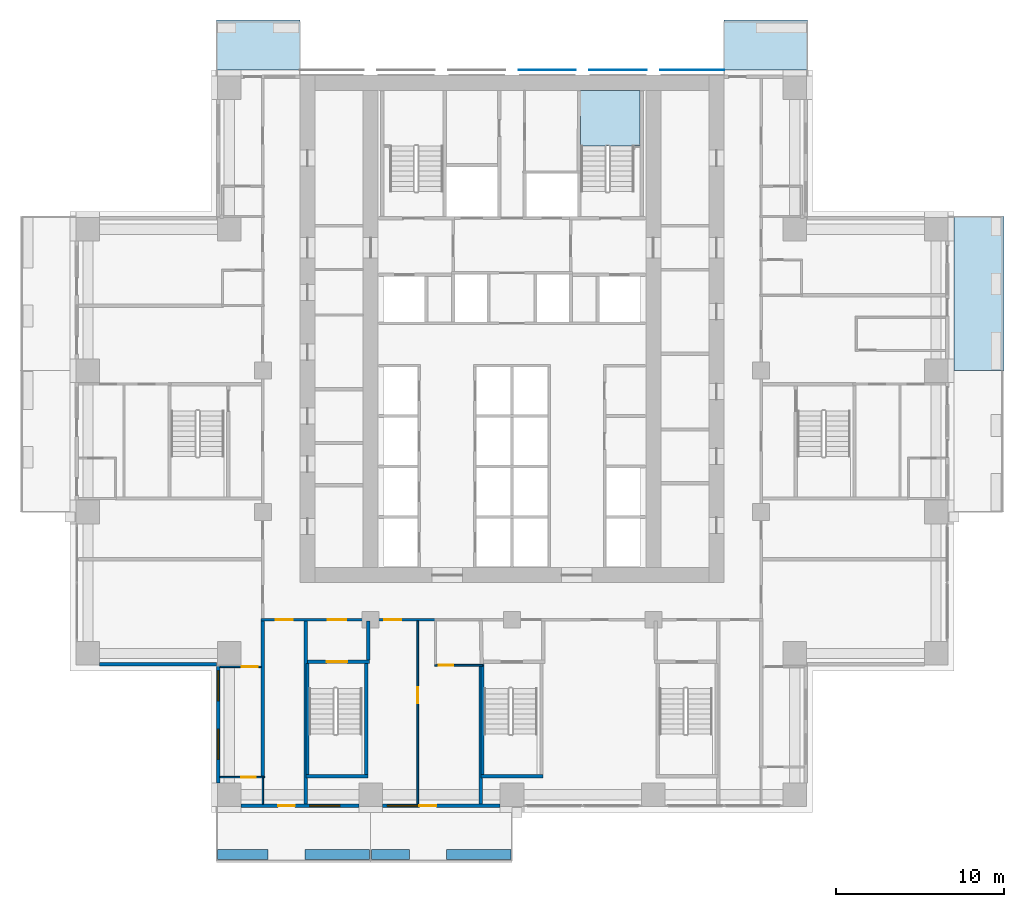
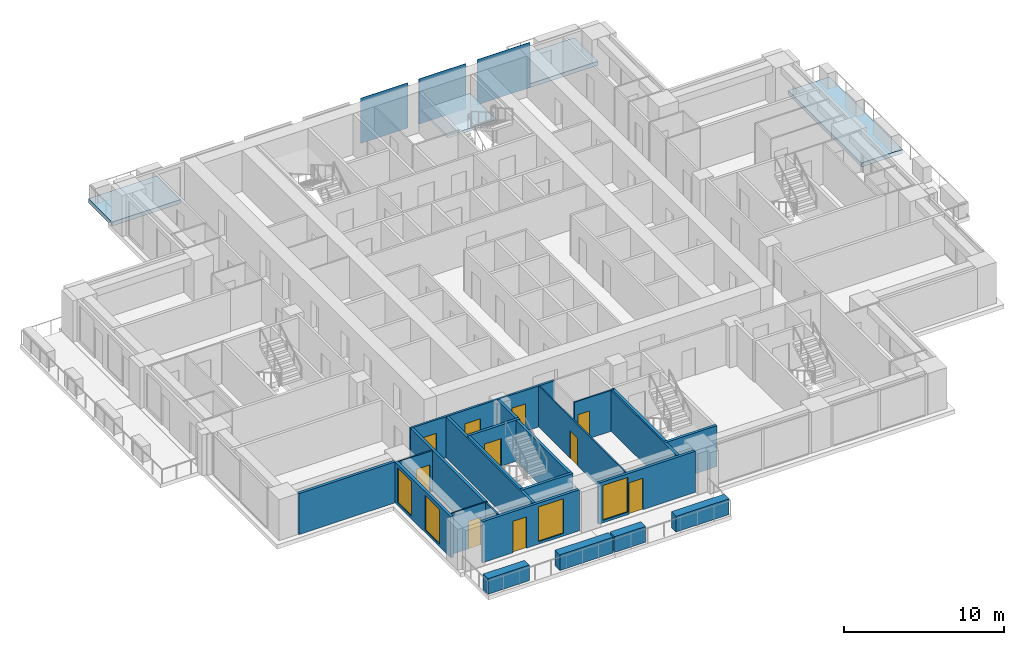
# One storey, part 6 of 17: 24 walls, 10 doors, 4 slabs, 4 windows, 3 plates, 14 openings, 1 element without a shape of its own.
"""IFC4 building model written with IfcOpenShell, lengths in metres."""

from ifc_helpers import new_model, si_unit, direction, frame, frame_2d, origin, origin_2d, place, context, subcontext, project, spatial, polyline, rectangle, outline, extrude, material, layer, layer_set, type_object, element, fill, aggregate, save


model = new_model("IFC4")

# Units and contexts
model_context = context("Model", 3, precision=1e-05, world=origin(), true_north=direction((0.0, 1.0)))
body_context = subcontext(model_context, "Body", "Model", "MODEL_VIEW")
ifc_project = project(units=[si_unit("LENGTHUNIT", "METRE"), si_unit("AREAUNIT", "SQUARE_METRE"), si_unit("VOLUMEUNIT", "CUBIC_METRE"), si_unit("PLANEANGLEUNIT", "RADIAN"), si_unit("MASSUNIT", "GRAM", prefix="KILO")], contexts=[model_context])

# Site, building, storey
site_placement = place(None, origin())
site = spatial("IfcSite", under=ifc_project, at=site_placement, CompositionType="ELEMENT")
building_placement = place(site_placement, origin())
building = spatial("IfcBuilding", under=site, at=building_placement, Name="Vermilion Ogive Tower", CompositionType="ELEMENT")
storey_placement = place(building_placement, frame((0.0, 0.0, 58.64990234375)))
storey = spatial("IfcBuildingStorey", under=building, at=storey_placement, Name="L13", CompositionType="ELEMENT", Elevation=58.64990234375)

# Slabs
ifc_material_1 = material(Name="Concrete B40", Category="concrete")
ifc_layer_1 = layer(ifc_material_1, 0.300048828125)
ifc_layer_set_1 = layer_set([ifc_layer_1], Name="Balcony slab")
slab_type_1 = type_object("IfcSlabType", Name="Balcony slab", PredefinedType="FLOOR", material=ifc_layer_set_1)
slab_1_placement = place(storey_placement, frame((0.0, 0.0, -0.33984375)))
element("IfcSlab", 1, at=slab_1_placement, inside=storey, type_object=slab_type_1, Name="Balcony slab E03", PredefinedType="FLOOR", context=body_context, shape_type="SweptSolid", body=[
    extrude(outline(polyline([(29.22998046875, 4.199951171875), (29.22998046875, 13.35009765625), (26.25, 13.35009765625), (26.25, 4.199951171875), (29.22998046875, 4.199951171875)])), origin(), (0.0, 0.0, 1.0), 0.300048828125),
])
slab_2_placement = place(storey_placement, frame((0.0, 0.0, -0.33984375)))
element("IfcSlab", 2, at=slab_2_placement, inside=storey, type_object=slab_type_1, Name="Balcony slab N101", PredefinedType="FLOOR", context=body_context, shape_type="SweptSolid", body=[
    extrude(outline(polyline([(17.550048828125, 25.030029296875), (12.60009765625, 25.030029296875), (12.60009765625, 22.050048828125), (17.550048828125, 22.050048828125), (17.550048828125, 25.030029296875)])), origin(), (0.0, 0.0, 1.0), 0.300048828125),
])
slab_3_placement = place(storey_placement, frame((0.0, 0.0, -0.33984375)))
element("IfcSlab", 3, at=slab_3_placement, inside=storey, type_object=slab_type_1, Name="Balcony slab N201", PredefinedType="FLOOR", context=body_context, shape_type="SweptSolid", body=[
    extrude(outline(polyline([(-12.60009765625, 25.030029296875), (-17.550048828125, 25.030029296875), (-17.550048828125, 22.050048828125), (-12.60009765625, 22.050048828125), (-12.60009765625, 25.030029296875)])), origin(), (0.0, 0.0, 1.0), 0.300048828125),
])

# Plates
ifc_material_2 = material(Name="Low-iron laminated glazing in aluminium frame", Category="aluminium")
ifc_layer_2 = layer(ifc_material_2, 0.031982421875)
ifc_layer_set_2 = layer_set([ifc_layer_2], Name="Glazed rainscreen sheet 32")
plate_type = type_object("IfcPlateType", Name="Glazed rainscreen sheet 32", PredefinedType="SHEET", material=ifc_layer_set_2)
for number, where, z_axis, x_axis, name in (
    (4, (2.10009765625, 22.06591796875, -0.31982421875), (0.0, 0.0, 1.0), (1.0, 0.0, 0.0), "Glazed rainscreen sheet N4"),
    (5, (6.300048828125, 22.06591796875, -0.31982421875), (0.0, 0.0, 1.0), (1.0, 0.0, 0.0), "Glazed rainscreen sheet N5"),
):
    element("IfcPlate", number, at=place(storey_placement, frame(where, z_axis=z_axis, x_axis=x_axis)), inside=storey, type_object=plate_type, Name=name, PredefinedType="SHEET", context=body_context, shape_type="SweptSolid", body=[
        extrude(rectangle(XDim=3.39990234375, YDim=0.031982421875, at=origin_2d()), origin(), (0.0, 0.0, 1.0), 3.449951171875),
    ])
plate_placement = place(storey_placement, frame((10.7099609375, 22.06591796875, -0.31982421875), z_axis=(0.0, 0.0, 1.0), x_axis=(1.0, 0.0, 0.0)))
element("IfcPlate", 6, at=plate_placement, inside=storey, type_object=plate_type, Name="Glazed rainscreen sheet N6", PredefinedType="SHEET", context=body_context, shape_type="SweptSolid", body=[
    extrude(rectangle(XDim=3.820068359375, YDim=0.031982421875, at=origin_2d()), origin(), (0.0, 0.0, 1.0), 3.449951171875),
])

# Stair, slab
ifc_material_3 = material(Name="Concrete B40", Category="concrete")
stair_type = type_object("IfcStairType", Name="Exit stair 1500", PredefinedType="HALF_TURN_STAIR", material=ifc_material_3)
stair_placement = place(storey_placement, origin())
stair = element("IfcStair", 7, at=stair_placement, inside=storey, type_object=stair_type, Name="L13 Exit Stair ST2", PredefinedType="HALF_TURN_STAIR")
ifc_material_4 = material(Name="Concrete B40", Category="concrete")
ifc_layer_3 = layer(ifc_material_4, 0.199951171875)
ifc_layer_set_3 = layer_set([ifc_layer_3], Name="Stair landing 200")
slab_type_2 = type_object("IfcSlabType", Name="Stair landing 200", PredefinedType="LANDING", material=ifc_layer_set_3)
slab_4_placement = place(storey_placement, frame((0.0, 0.0, 1.525146484375)))
slab_4 = element("IfcSlab", 8, at=slab_4_placement, type_object=slab_type_2, Name="ST2 landing 1", PredefinedType="LANDING", context=body_context, shape_type="SweptSolid", body=[
    extrude(outline(polyline([(5.60009765625, 17.550048828125), (5.75, 17.550048828125), (5.75, 17.548095703125), (7.25, 17.548095703125), (7.25, 17.550048828125), (7.60009765625, 17.550048828125), (7.60009765625, 20.85009765625), (4.074951171875, 20.85009765625), (4.074951171875, 17.550048828125), (4.10009765625, 17.550048828125), (4.10009765625, 17.548095703125), (5.60009765625, 17.548095703125), (5.60009765625, 17.550048828125)])), origin(), (0.0, 0.0, 1.0), 0.199951171875),
])
aggregate(stair, [slab_4])

# Wall, opening, door
ifc_material_5 = material(Name="Gypsum board partition on steel studs", Category="steel")
ifc_layer_4 = layer(ifc_material_5, 0.10009765625)
ifc_layer_set_4 = layer_set([ifc_layer_4], Name="Partition 100 bath")
wall_type_1 = type_object("IfcWallType", Name="Partition 100 bath", PredefinedType="PARTITIONING", material=ifc_layer_set_4)
wall_1_placement = place(storey_placement, frame((-17.35009765625, -19.949951171875, 0.0), z_axis=(0.0, 0.0, 1.0), x_axis=(1.0, 0.0, 0.0)))
wall_1 = element("IfcWall", 9, at=wall_1_placement, inside=storey, type_object=wall_type_1, Name="L13-W-W001", PredefinedType="PARTITIONING", context=body_context, shape_type="SweptSolid", body=[
    extrude(rectangle(XDim=2.650146484375, YDim=0.10009765625, at=frame_2d((1.3251953125, 0.0))), origin(), (0.0, 0.0, 1.0), 3.130126953125),
])
opening_1_placement = place(wall_1_placement, frame((1.27490234375, 0.0, 0.0)))
opening_1 = element("IfcOpeningElement", 10, at=opening_1_placement, cuts=wall_1, Name="Opening D1G4003", PredefinedType="OPENING", context=body_context, shape_type="SweptSolid", body=[
    extrude(rectangle(XDim=0.85009765625, YDim=2.10009765625, at=frame_2d((0.425048828125, 1.050048828125))), frame((0.0, 0.06005859375, 0.0), z_axis=(0.0, -1.0, 0.0), x_axis=(1.0, 0.0, 0.0)), (0.0, 0.0, 1.0), 0.1201171875),
])
ifc_material_6 = material(Name="Timber door leaf", Category="wood")
door_type_1 = type_object("IfcDoorType", Name="Bath door 850 x 2100 FD30", OperationType="SINGLE_SWING_LEFT", PredefinedType="DOOR", material=ifc_material_6)
door_1_placement = place(opening_1_placement, origin())
door_1 = element("IfcDoor", 11, at=door_1_placement, inside=storey, type_object=door_type_1, Name="L13-D-D003", OperationType="SINGLE_SWING_RIGHT", OverallHeight=2.10009765625, OverallWidth=0.85009765625, PredefinedType="DOOR", context=body_context, shape_type="SweptSolid", body=[
    extrude(rectangle(XDim=0.85009765625, YDim=2.10009765625, at=frame_2d((0.425048828125, 1.050048828125))), frame((0.0, 0.02490234375, 0.0), z_axis=(0.0, -1.0, 0.0), x_axis=(1.0, 0.0, 0.0)), (0.0, 0.0, 1.0), 0.050048828125),
])
fill(opening_1, door_1)

wall_2_placement = place(storey_placement, frame((-4.60009765625, -13.300048828125, 0.0), z_axis=(0.0, 0.0, 1.0), x_axis=(1.0, 0.0, 0.0)))
wall_2 = element("IfcWall", 12, at=wall_2_placement, inside=storey, type_object=wall_type_1, Name="L13-W-W008", PredefinedType="PARTITIONING", context=body_context, shape_type="SweptSolid", body=[
    extrude(rectangle(XDim=2.85009765625, YDim=0.10009765625, at=frame_2d((1.425048828125, 0.0))), origin(), (0.0, 0.0, 1.0), 3.130126953125),
])
opening_2_placement = place(wall_2_placement, frame((0.25, 0.0, 0.0)))
opening_2 = element("IfcOpeningElement", 13, at=opening_2_placement, cuts=wall_2, Name="Opening D1G4014", PredefinedType="OPENING", context=body_context, shape_type="SweptSolid", body=[
    extrude(rectangle(XDim=0.85009765625, YDim=2.10009765625, at=frame_2d((0.425048828125, 1.050048828125))), frame((0.0, 0.06005859375, 0.0), z_axis=(0.0, -1.0, 0.0), x_axis=(1.0, 0.0, 0.0)), (0.0, 0.0, 1.0), 0.1201171875),
])
door_2_placement = place(opening_2_placement, origin())
door_2 = element("IfcDoor", 14, at=door_2_placement, inside=storey, type_object=door_type_1, Name="L13-D-D014", OperationType="SINGLE_SWING_LEFT", OverallHeight=2.10009765625, OverallWidth=0.85009765625, PredefinedType="DOOR", context=body_context, shape_type="SweptSolid", body=[
    extrude(rectangle(XDim=0.85009765625, YDim=2.10009765625, at=frame_2d((0.425048828125, 1.050048828125))), frame((0.0, 0.02490234375, 0.0), z_axis=(0.0, -1.0, 0.0), x_axis=(1.0, 0.0, 0.0)), (0.0, 0.0, 1.0), 0.050048828125),
])
fill(opening_2, door_2)

# Wall
wall_3_placement = place(storey_placement, frame((-14.800048828125, -21.550048828125, 0.0), z_axis=(0.0, 0.0, 1.0), x_axis=(0.0, 1.0, 0.0)))
element("IfcWall", 15, at=wall_3_placement, inside=storey, type_object=wall_type_1, Name="L13-W-W047", PredefinedType="PARTITIONING", context=body_context, shape_type="SweptSolid", body=[
    extrude(rectangle(XDim=1.550048828125, YDim=0.10009765625, at=frame_2d((0.77490234375, 0.0))), origin(), (0.0, 0.0, 1.0), 3.130126953125),
])

# Wall, opening, door
ifc_material_7 = material(Name="Gypsum board partition on steel studs", Category="steel")
ifc_layer_5 = layer(ifc_material_7, 0.10009765625)
ifc_layer_set_5 = layer_set([ifc_layer_5], Name="Partition 100 inner")
wall_type_2 = type_object("IfcWallType", Name="Partition 100 inner", PredefinedType="PARTITIONING", material=ifc_layer_set_5)
wall_4_placement = place(storey_placement, frame((-17.35009765625, -13.39990234375, 0.0), z_axis=(0.0, 0.0, 1.0), x_axis=(1.0, 0.0, 0.0)))
wall_4 = element("IfcWall", 16, at=wall_4_placement, inside=storey, type_object=wall_type_2, Name="L13-W-W006", PredefinedType="PARTITIONING", context=body_context, shape_type="SweptSolid", body=[
    extrude(rectangle(XDim=2.4501953125, YDim=0.10009765625, at=frame_2d((1.22509765625, 0.0))), origin(), (0.0, 0.0, 1.0), 3.130126953125),
])
opening_3_placement = place(wall_4_placement, frame((1.300048828125, 0.0, 0.0)))
opening_3 = element("IfcOpeningElement", 17, at=opening_3_placement, cuts=wall_4, Name="Opening D1G4002", PredefinedType="OPENING", context=body_context, shape_type="SweptSolid", body=[
    extrude(rectangle(XDim=0.949951171875, YDim=2.10009765625, at=frame_2d((0.47509765625, 1.050048828125))), frame((0.0, 0.06005859375, 0.0), z_axis=(0.0, -1.0, 0.0), x_axis=(1.0, 0.0, 0.0)), (0.0, 0.0, 1.0), 0.1201171875),
])
ifc_material_8 = material(Name="Timber door leaf", Category="wood")
door_type_2 = type_object("IfcDoorType", Name="Inner door 950 x 2100 FD30", OperationType="SINGLE_SWING_LEFT", PredefinedType="DOOR", material=ifc_material_8)
door_3_placement = place(opening_3_placement, origin())
door_3 = element("IfcDoor", 18, at=door_3_placement, inside=storey, type_object=door_type_2, Name="L13-D-D002", OperationType="SINGLE_SWING_RIGHT", OverallHeight=2.10009765625, OverallWidth=0.949951171875, PredefinedType="DOOR", context=body_context, shape_type="SweptSolid", body=[
    extrude(rectangle(XDim=0.949951171875, YDim=2.10009765625, at=frame_2d((0.47509765625, 1.050048828125))), frame((0.0, 0.02490234375, 0.0), z_axis=(0.0, -1.0, 0.0), x_axis=(1.0, 0.0, 0.0)), (0.0, 0.0, 1.0), 0.050048828125),
])
fill(opening_3, door_3)

wall_5_placement = place(storey_placement, frame((-5.60009765625, -21.550048828125, 0.0), z_axis=(0.0, 0.0, 1.0), x_axis=(0.0, 1.0, 0.0)))
wall_5 = element("IfcWall", 19, at=wall_5_placement, inside=storey, type_object=wall_type_2, Name="L13-W-W058", PredefinedType="PARTITIONING", context=body_context, shape_type="SweptSolid", body=[
    extrude(rectangle(XDim=10.875, YDim=0.10009765625, at=frame_2d((5.4375, 0.0))), origin(), (0.0, 0.0, 1.0), 3.130126953125),
])
opening_4_placement = place(wall_5_placement, frame((5.97509765625, 0.0, 0.0)))
opening_4 = element("IfcOpeningElement", 20, at=opening_4_placement, cuts=wall_5, Name="Opening D1G4013", PredefinedType="OPENING", context=body_context, shape_type="SweptSolid", body=[
    extrude(rectangle(XDim=0.949951171875, YDim=2.10009765625, at=frame_2d((0.47509765625, 1.050048828125))), frame((0.0, 0.06005859375, 0.0), z_axis=(0.0, -1.0, 0.0), x_axis=(1.0, 0.0, 0.0)), (0.0, 0.0, 1.0), 0.1201171875),
])
door_4_placement = place(opening_4_placement, origin())
door_4 = element("IfcDoor", 21, at=door_4_placement, inside=storey, type_object=door_type_2, Name="L13-D-D013", OperationType="SINGLE_SWING_LEFT", OverallHeight=2.10009765625, OverallWidth=0.949951171875, PredefinedType="DOOR", context=body_context, shape_type="SweptSolid", body=[
    extrude(rectangle(XDim=0.949951171875, YDim=2.10009765625, at=frame_2d((0.47509765625, 1.050048828125))), frame((0.0, 0.02490234375, 0.0), z_axis=(0.0, -1.0, 0.0), x_axis=(1.0, 0.0, 0.0)), (0.0, 0.0, 1.0), 0.050048828125),
])
fill(opening_4, door_4)

# Wall, openings, doors
ifc_material_9 = material(Name="Gypsum board partition on steel studs", Category="steel")
ifc_layer_6 = layer(ifc_material_9, 0.14990234375)
ifc_layer_set_6 = layer_set([ifc_layer_6], Name="Partition 150 corridor")
wall_type_3 = type_object("IfcWallType", Name="Partition 150 corridor", PredefinedType="PARTITIONING", material=ifc_layer_set_6)
wall_6_placement = place(storey_placement, frame((-14.89990234375, -10.60009765625, 0.0), z_axis=(0.0, 0.0, 1.0), x_axis=(1.0, 0.0, 0.0)))
wall_6 = element("IfcWall", 22, at=wall_6_placement, inside=storey, type_object=wall_type_3, Name="L13-W-W012", PredefinedType="PARTITIONING", context=body_context, shape_type="SweptSolid", body=[
    extrude(rectangle(XDim=10.39990234375, YDim=0.14990234375, at=frame_2d((5.199951171875, 0.0))), origin(), (0.0, 0.0, 1.0), 3.130126953125),
])
opening_5_placement = place(wall_6_placement, frame((7.324951171875, 0.0, 0.0)))
opening_5 = element("IfcOpeningElement", 23, at=opening_5_placement, cuts=wall_6, Name="Opening D1G4012", PredefinedType="OPENING", context=body_context, shape_type="SweptSolid", body=[
    extrude(rectangle(XDim=1.0, YDim=2.10009765625, at=frame_2d((0.5, 1.050048828125))), frame((0.0, 0.0849609375, 0.0), z_axis=(0.0, -1.0, 0.0), x_axis=(1.0, 0.0, 0.0)), (0.0, 0.0, 1.0), 0.169921875),
])
opening_6_placement = place(wall_6_placement, frame((3.949951171875, 0.0, 0.0)))
opening_6 = element("IfcOpeningElement", 24, at=opening_6_placement, cuts=wall_6, Name="Opening D1G4028", PredefinedType="OPENING", context=body_context, shape_type="SweptSolid", body=[
    extrude(rectangle(XDim=1.10009765625, YDim=2.10009765625, at=frame_2d((0.550048828125, 1.050048828125))), frame((0.0, 0.0849609375, 0.0), z_axis=(0.0, -1.0, 0.0), x_axis=(1.0, 0.0, 0.0)), (0.0, 0.0, 1.0), 0.169921875),
])
opening_7_placement = place(wall_6_placement, frame((0.875, 0.0, 0.0)))
opening_7 = element("IfcOpeningElement", 25, at=opening_7_placement, cuts=wall_6, Name="Opening D1G4038", PredefinedType="OPENING", context=body_context, shape_type="SweptSolid", body=[
    extrude(rectangle(XDim=1.0, YDim=2.10009765625, at=frame_2d((0.5, 1.050048828125))), frame((0.0, 0.0849609375, 0.0), z_axis=(0.0, -1.0, 0.0), x_axis=(1.0, 0.0, 0.0)), (0.0, 0.0, 1.0), 0.169921875),
])
ifc_material_10 = material(Name="Timber door leaf", Category="wood")
door_type_3 = type_object("IfcDoorType", Name="Stair door 1100 x 2100 FD60S", OperationType="SINGLE_SWING_LEFT", PredefinedType="DOOR", material=ifc_material_10)
door_5_placement = place(opening_6_placement, origin())
door_5 = element("IfcDoor", 26, at=door_5_placement, inside=storey, type_object=door_type_3, Name="L13-D-D028", OperationType="SINGLE_SWING_RIGHT", OverallHeight=2.10009765625, OverallWidth=1.10009765625, PredefinedType="DOOR", context=body_context, shape_type="SweptSolid", body=[
    extrude(rectangle(XDim=1.10009765625, YDim=2.10009765625, at=frame_2d((0.550048828125, 1.050048828125))), frame((0.0, 0.02490234375, 0.0), z_axis=(0.0, -1.0, 0.0), x_axis=(1.0, 0.0, 0.0)), (0.0, 0.0, 1.0), 0.050048828125),
])
fill(opening_6, door_5)
ifc_material_11 = material(Name="Timber door leaf", Category="wood")
door_type_4 = type_object("IfcDoorType", Name="Unit door 1000 x 2100 FD30S", OperationType="SINGLE_SWING_LEFT", PredefinedType="DOOR", material=ifc_material_11)
door_6_placement = place(opening_5_placement, origin())
door_6 = element("IfcDoor", 27, at=door_6_placement, inside=storey, type_object=door_type_4, Name="L13-D-D012", OperationType="SINGLE_SWING_RIGHT", OverallHeight=2.10009765625, OverallWidth=1.0, PredefinedType="DOOR", context=body_context, shape_type="SweptSolid", body=[
    extrude(rectangle(XDim=1.0, YDim=2.10009765625, at=frame_2d((0.5, 1.050048828125))), frame((0.0, 0.02490234375, 0.0), z_axis=(0.0, -1.0, 0.0), x_axis=(1.0, 0.0, 0.0)), (0.0, 0.0, 1.0), 0.050048828125),
])
fill(opening_5, door_6)
door_7_placement = place(opening_7_placement, origin())
door_7 = element("IfcDoor", 28, at=door_7_placement, inside=storey, type_object=door_type_4, Name="L13-D-D038", OperationType="SINGLE_SWING_RIGHT", OverallHeight=2.10009765625, OverallWidth=1.0, PredefinedType="DOOR", context=body_context, shape_type="SweptSolid", body=[
    extrude(rectangle(XDim=1.0, YDim=2.10009765625, at=frame_2d((0.5, 1.050048828125))), frame((0.0, 0.02490234375, 0.0), z_axis=(0.0, -1.0, 0.0), x_axis=(1.0, 0.0, 0.0)), (0.0, 0.0, 1.0), 0.050048828125),
])
fill(opening_7, door_7)

# Walls
ifc_material_12 = material(Name="Gypsum board partition on steel studs", Category="steel")
ifc_layer_7 = layer(ifc_material_12, 0.199951171875)
ifc_layer_set_7 = layer_set([ifc_layer_7], Name="Partition 200 party")
wall_type_4 = type_object("IfcWallType", Name="Partition 200 party", PredefinedType="PARTITIONING", material=ifc_layer_set_7)
wall_7_placement = place(storey_placement, frame((-14.800048828125, -19.89990234375, 0.0), z_axis=(0.0, 0.0, 1.0), x_axis=(0.0, 1.0, 0.0)))
element("IfcWall", 29, at=wall_7_placement, inside=storey, type_object=wall_type_4, Name="L13-W-W048", PredefinedType="PARTITIONING", context=body_context, shape_type="SweptSolid", body=[
    extrude(rectangle(XDim=9.224853515625, YDim=0.199951171875, at=frame_2d((4.6123046875, 0.0))), origin(), (0.0, 0.0, 1.0), 3.130126953125),
])
wall_8_placement = place(storey_placement, frame((-8.550048828125, -12.998046875, 0.0), z_axis=(0.0, 0.0, 1.0), x_axis=(0.0, 1.0, 0.0)))
element("IfcWall", 30, at=wall_8_placement, inside=storey, type_object=wall_type_4, Name="L13-W-W057", PredefinedType="PARTITIONING", context=body_context, shape_type="SweptSolid", body=[
    extrude(rectangle(XDim=2.322998046875, YDim=0.199951171875, at=frame_2d((1.16162109375, 0.0))), origin(), (0.0, 0.0, 1.0), 3.130126953125),
])
ifc_material_13 = material(Name="Concrete B60", Category="concrete")
ifc_layer_8 = layer(ifc_material_13, 0.199951171875)
ifc_layer_set_8 = layer_set([ifc_layer_8], Name="Stair shaft wall 200 Concrete B60")
wall_type_5 = type_object("IfcWallType", Name="Stair shaft wall 200 Concrete B60", PredefinedType="SOLIDWALL", material=ifc_layer_set_8)
wall_9_placement = place(storey_placement, frame((-12.248046875, -19.89990234375, 0.0), z_axis=(0.0, 0.0, 1.0), x_axis=(1.0, 0.0, 0.0)))
element("IfcWall", 31, at=wall_9_placement, inside=storey, type_object=wall_type_5, Name="L13-W-W002", PredefinedType="SOLIDWALL", context=body_context, shape_type="SweptSolid", body=[
    extrude(rectangle(XDim=3.696044921875, YDim=0.199951171875, at=frame_2d((1.84814453125, 0.0))), origin(), (0.0, 0.0, 1.0), 3.130126953125),
])
wall_10_placement = place(storey_placement, frame((-1.847900390625, -19.89990234375, 0.0), z_axis=(0.0, 0.0, 1.0), x_axis=(1.0, 0.0, 0.0)))
element("IfcWall", 32, at=wall_10_placement, inside=storey, type_object=wall_type_5, Name="L13-W-W003", PredefinedType="SOLIDWALL", context=body_context, shape_type="SweptSolid", body=[
    extrude(rectangle(XDim=3.69580078125, YDim=0.199951171875, at=frame_2d((1.847900390625, 0.0))), origin(), (0.0, 0.0, 1.0), 3.130126953125),
])

# Wall, opening, door
wall_11_placement = place(storey_placement, frame((-12.14794921875, -13.10009765625, 0.0), z_axis=(0.0, 0.0, 1.0), x_axis=(1.0, 0.0, 0.0)))
wall_11 = element("IfcWall", 33, at=wall_11_placement, inside=storey, type_object=wall_type_5, Name="L13-W-W009", PredefinedType="SOLIDWALL", context=body_context, shape_type="SweptSolid", body=[
    extrude(rectangle(XDim=3.696044921875, YDim=0.199951171875, at=frame_2d((1.84814453125, 0.0))), origin(), (0.0, 0.0, 1.0), 3.130126953125),
])
opening_8_placement = place(wall_11_placement, frame((1.14794921875, 0.0, 0.0)))
opening_8 = element("IfcOpeningElement", 34, at=opening_8_placement, cuts=wall_11, Name="Opening D1G4029", PredefinedType="OPENING", context=body_context, shape_type="SweptSolid", body=[
    extrude(rectangle(XDim=1.199951171875, YDim=2.10009765625, at=frame_2d((0.60009765625, 1.050048828125))), frame((0.0, 0.10986328125, 0.0), z_axis=(0.0, -1.0, 0.0), x_axis=(1.0, 0.0, 0.0)), (0.0, 0.0, 1.0), 0.219970703125),
])
ifc_material_14 = material(Name="Timber door leaf", Category="wood")
door_type_5 = type_object("IfcDoorType", Name="Stair door 1200 x 2100 FD60S", OperationType="SINGLE_SWING_LEFT", PredefinedType="DOOR", material=ifc_material_14)
door_8_placement = place(opening_8_placement, origin())
door_8 = element("IfcDoor", 35, at=door_8_placement, inside=storey, type_object=door_type_5, Name="L13-D-D029", OperationType="SINGLE_SWING_RIGHT", OverallHeight=2.10009765625, OverallWidth=1.199951171875, PredefinedType="DOOR", context=body_context, shape_type="SweptSolid", body=[
    extrude(rectangle(XDim=1.199951171875, YDim=2.10009765625, at=frame_2d((0.60009765625, 1.050048828125))), frame((0.0, 0.02490234375, 0.0), z_axis=(0.0, -1.0, 0.0), x_axis=(1.0, 0.0, 0.0)), (0.0, 0.0, 1.0), 0.050048828125),
])
fill(opening_8, door_8)

# Walls
for number, where, z_axis, x_axis, name in (
    (36, (-12.14990234375, -19.798095703125, 0.0), (0.0, 0.0, 1.0), (0.0, 1.0, 0.0), "L13-W-W055"),
    (37, (-8.64990234375, -19.798095703125, 0.0), (0.0, 0.0, 1.0), (0.0, 1.0, 0.0), "L13-W-W056"),
    (38, (-1.75, -19.798095703125, 0.0), (0.0, 0.0, 1.0), (0.0, 1.0, 0.0), "L13-W-W062"),
):
    element("IfcWall", number, at=place(storey_placement, frame(where, z_axis=z_axis, x_axis=x_axis)), inside=storey, type_object=wall_type_5, Name=name, PredefinedType="SOLIDWALL", context=body_context, shape_type="SweptSolid", body=[
        extrude(rectangle(XDim=6.59619140625, YDim=0.199951171875, at=frame_2d((3.298095703125, 0.0))), origin(), (0.0, 0.0, 1.0), 3.130126953125),
    ])
wall_12_placement = place(storey_placement, frame((-12.25, -21.550048828125, 0.0), z_axis=(0.0, 0.0, 1.0), x_axis=(0.0, 1.0, 0.0)))
element("IfcWall", 39, at=wall_12_placement, inside=storey, type_object=wall_type_5, Name="L13-W-W054-A", PredefinedType="SOLIDWALL", context=body_context, shape_type="SweptSolid", body=[
    extrude(rectangle(XDim=10.875, YDim=0.199951171875, at=frame_2d((5.4375, 0.0))), origin(), (0.0, 0.0, 1.0), 3.130126953125),
])
wall_13_placement = place(storey_placement, frame((-1.85009765625, -21.550048828125, 0.0), z_axis=(0.0, 0.0, 1.0), x_axis=(0.0, 1.0, 0.0)))
element("IfcWall", 40, at=wall_13_placement, inside=storey, type_object=wall_type_5, Name="L13-W-W060-A", PredefinedType="SOLIDWALL", context=body_context, shape_type="SweptSolid", body=[
    extrude(rectangle(XDim=8.199951171875, YDim=0.199951171875, at=frame_2d((4.10009765625, 0.0))), origin(), (0.0, 0.0, 1.0), 3.130126953125),
])
ifc_material_15 = material(Name="Concrete B40", Category="concrete")
ifc_layer_9 = layer(ifc_material_15, 0.60009765625)
ifc_layer_set_9 = layer_set([ifc_layer_9], Name="Structural planter")
wall_type_6 = type_object("IfcWallType", Name="Structural planter", PredefinedType="USERDEFINED", material=ifc_layer_set_9)
wall_14_placement = place(storey_placement, frame((-17.489990234375, -24.550048828125, -0.039794921875), z_axis=(0.0, 0.0, 1.0), x_axis=(1.0, 0.0, 0.0)))
element("IfcWall", 41, at=wall_14_placement, inside=storey, type_object=wall_type_6, Name="Planter S01A1", ObjectType="PLANTER", PredefinedType="USERDEFINED", context=body_context, shape_type="SweptSolid", body=[
    extrude(rectangle(XDim=2.989990234375, YDim=0.60009765625, at=frame_2d((1.4951171875, 0.0))), origin(), (0.0, 0.0, 1.0), 1.199951171875),
])
wall_15_placement = place(storey_placement, frame((-12.300048828125, -24.550048828125, -0.039794921875), z_axis=(0.0, 0.0, 1.0), x_axis=(1.0, 0.0, 0.0)))
element("IfcWall", 42, at=wall_15_placement, inside=storey, type_object=wall_type_6, Name="Planter S01A2", ObjectType="PLANTER", PredefinedType="USERDEFINED", context=body_context, shape_type="SweptSolid", body=[
    extrude(rectangle(XDim=3.840087890625, YDim=0.60009765625, at=frame_2d((1.919921875, 0.0))), origin(), (0.0, 0.0, 1.0), 1.199951171875),
])
wall_16_placement = place(storey_placement, frame((-8.340087890625, -24.550048828125, -0.039794921875), z_axis=(0.0, 0.0, 1.0), x_axis=(1.0, 0.0, 0.0)))
element("IfcWall", 43, at=wall_16_placement, inside=storey, type_object=wall_type_6, Name="Planter S02A1", ObjectType="PLANTER", PredefinedType="USERDEFINED", context=body_context, shape_type="SweptSolid", body=[
    extrude(rectangle(XDim=2.239990234375, YDim=0.60009765625, at=frame_2d((1.1201171875, 0.0))), origin(), (0.0, 0.0, 1.0), 1.199951171875),
])
wall_17_placement = place(storey_placement, frame((-3.89990234375, -24.550048828125, -0.039794921875), z_axis=(0.0, 0.0, 1.0), x_axis=(1.0, 0.0, 0.0)))
element("IfcWall", 44, at=wall_17_placement, inside=storey, type_object=wall_type_6, Name="Planter S02A2", ObjectType="PLANTER", PredefinedType="USERDEFINED", context=body_context, shape_type="SweptSolid", body=[
    extrude(rectangle(XDim=3.83984375, YDim=0.60009765625, at=frame_2d((1.919921875, 0.0))), origin(), (0.0, 0.0, 1.0), 1.199951171875),
])

# Wall, openings, door, window
ifc_material_16 = material(Name="Aluminium window wall framing", Category="aluminium")
ifc_layer_10 = layer(ifc_material_16, 0.199951171875)
ifc_layer_set_10 = layer_set([ifc_layer_10], Name="Window wall")
wall_type_7 = type_object("IfcWallType", Name="Window wall", PredefinedType="STANDARD", material=ifc_layer_set_10)
wall_18_placement = place(storey_placement, frame((-16.10009765625, -21.64990234375, 0.0), z_axis=(0.0, 0.0, 1.0), x_axis=(1.0, 0.0, 0.0)))
wall_18 = element("IfcWall", 45, at=wall_18_placement, inside=storey, type_object=wall_type_7, Name="Window wall S1", PredefinedType="STANDARD", context=body_context, shape_type="SweptSolid", body=[
    extrude(rectangle(XDim=7.0, YDim=0.199951171875, at=frame_2d((3.5, 0.0))), origin(), (0.0, 0.0, 1.0), 3.130126953125),
])
opening_9_placement = place(wall_18_placement, frame((4.070068359375, 0.0, 0.199951171875)))
opening_9 = element("IfcOpeningElement", 46, at=opening_9_placement, cuts=wall_18, Name="Opening W1-S96", PredefinedType="OPENING", context=body_context, shape_type="SweptSolid", body=[
    extrude(rectangle(XDim=1.800048828125, YDim=2.64990234375, at=frame_2d((0.89990234375, 1.324951171875))), frame((0.0, 0.10986328125, 0.0), z_axis=(0.0, -1.0, 0.0), x_axis=(1.0, 0.0, 0.0)), (0.0, 0.0, 1.0), 0.219970703125),
])
opening_10_placement = place(wall_18_placement, frame((2.199951171875, 0.0, 0.0)))
opening_10 = element("IfcOpeningElement", 47, at=opening_10_placement, cuts=wall_18, Name="Opening D1-S96", PredefinedType="OPENING", context=body_context, shape_type="SweptSolid", body=[
    extrude(rectangle(XDim=1.0, YDim=2.39990234375, at=frame_2d((0.5, 1.199951171875))), frame((0.0, 0.10986328125, 0.0), z_axis=(0.0, -1.0, 0.0), x_axis=(1.0, 0.0, 0.0)), (0.0, 0.0, 1.0), 0.219970703125),
])
ifc_material_17 = material(Name="Aluminium framed glazed door", Category="aluminium")
door_type_6 = type_object("IfcDoorType", Name="Balcony door D1", OperationType="SINGLE_SWING_LEFT", PredefinedType="DOOR", material=ifc_material_17)
door_9_placement = place(opening_10_placement, origin())
door_9 = element("IfcDoor", 48, at=door_9_placement, inside=storey, type_object=door_type_6, Name="Balcony door S96", OperationType="SINGLE_SWING_LEFT", OverallHeight=2.39990234375, OverallWidth=1.0, PredefinedType="DOOR", context=body_context, shape_type="SweptSolid", body=[
    extrude(rectangle(XDim=1.0, YDim=2.39990234375, at=frame_2d((0.5, 1.199951171875))), frame((0.0, 0.02490234375, 0.0), z_axis=(0.0, -1.0, 0.0), x_axis=(1.0, 0.0, 0.0)), (0.0, 0.0, 1.0), 0.050048828125),
])
fill(opening_10, door_9)
ifc_material_18 = material(Name="Aluminium framed double glazing", Category="aluminium")
window_type = type_object("IfcWindowType", Name="Guest window W1", PartitioningType="SINGLE_PANEL", PredefinedType="WINDOW", material=ifc_material_18)
window_1_placement = place(opening_9_placement, origin())
window_1 = element("IfcWindow", 49, at=window_1_placement, inside=storey, type_object=window_type, Name="Window S96", OverallHeight=2.64990234375, OverallWidth=1.800048828125, PartitioningType="SINGLE_PANEL", PredefinedType="WINDOW", context=body_context, shape_type="SweptSolid", body=[
    extrude(rectangle(XDim=1.800048828125, YDim=2.64990234375, at=frame_2d((0.89990234375, 1.324951171875))), frame((0.0, 0.030029296875, 0.0), z_axis=(0.0, -1.0, 0.0), x_axis=(1.0, 0.0, 0.0)), (0.0, 0.0, 1.0), 0.06005859375),
])
fill(opening_9, window_1)

wall_19_placement = place(storey_placement, frame((-7.699951171875, -21.64990234375, 0.0), z_axis=(0.0, 0.0, 1.0), x_axis=(1.0, 0.0, 0.0)))
wall_19 = element("IfcWall", 50, at=wall_19_placement, inside=storey, type_object=wall_type_7, Name="Window wall S2", PredefinedType="STANDARD", context=body_context, shape_type="SweptSolid", body=[
    extrude(rectangle(XDim=7.0, YDim=0.199951171875, at=frame_2d((3.5, 0.0))), origin(), (0.0, 0.0, 1.0), 3.130126953125),
])
opening_11_placement = place(wall_19_placement, frame((0.300048828125, 0.0, 0.199951171875)))
opening_11 = element("IfcOpeningElement", 51, at=opening_11_placement, cuts=wall_19, Name="Opening W1-S98", PredefinedType="OPENING", context=body_context, shape_type="SweptSolid", body=[
    extrude(rectangle(XDim=1.800048828125, YDim=2.64990234375, at=frame_2d((0.89990234375, 1.324951171875))), frame((0.0, 0.10986328125, 0.0), z_axis=(0.0, -1.0, 0.0), x_axis=(1.0, 0.0, 0.0)), (0.0, 0.0, 1.0), 0.219970703125),
])
opening_12_placement = place(wall_19_placement, frame((2.199951171875, 0.0, 0.0)))
opening_12 = element("IfcOpeningElement", 52, at=opening_12_placement, cuts=wall_19, Name="Opening D1-S98", PredefinedType="OPENING", context=body_context, shape_type="SweptSolid", body=[
    extrude(rectangle(XDim=1.0, YDim=2.39990234375, at=frame_2d((0.5, 1.199951171875))), frame((0.0, 0.10986328125, 0.0), z_axis=(0.0, -1.0, 0.0), x_axis=(1.0, 0.0, 0.0)), (0.0, 0.0, 1.0), 0.219970703125),
])
door_10_placement = place(opening_12_placement, origin())
door_10 = element("IfcDoor", 53, at=door_10_placement, inside=storey, type_object=door_type_6, Name="Balcony door S98", OperationType="SINGLE_SWING_LEFT", OverallHeight=2.39990234375, OverallWidth=1.0, PredefinedType="DOOR", context=body_context, shape_type="SweptSolid", body=[
    extrude(rectangle(XDim=1.0, YDim=2.39990234375, at=frame_2d((0.5, 1.199951171875))), frame((0.0, 0.02490234375, 0.0), z_axis=(0.0, -1.0, 0.0), x_axis=(1.0, 0.0, 0.0)), (0.0, 0.0, 1.0), 0.050048828125),
])
fill(opening_12, door_10)
window_2_placement = place(opening_11_placement, origin())
window_2 = element("IfcWindow", 54, at=window_2_placement, inside=storey, type_object=window_type, Name="Window S98", OverallHeight=2.64990234375, OverallWidth=1.800048828125, PartitioningType="SINGLE_PANEL", PredefinedType="WINDOW", context=body_context, shape_type="SweptSolid", body=[
    extrude(rectangle(XDim=1.800048828125, YDim=2.64990234375, at=frame_2d((0.89990234375, 1.324951171875))), frame((0.0, 0.030029296875, 0.0), z_axis=(0.0, -1.0, 0.0), x_axis=(1.0, 0.0, 0.0)), (0.0, 0.0, 1.0), 0.06005859375),
])
fill(opening_11, window_2)

# Wall
wall_20_placement = place(storey_placement, frame((-24.5, -13.25, 0.0), z_axis=(0.0, 0.0, 1.0), x_axis=(1.0, 0.0, 0.0)))
element("IfcWall", 55, at=wall_20_placement, inside=storey, type_object=wall_type_7, Name="Window wall X71", PredefinedType="STANDARD", context=body_context, shape_type="SweptSolid", body=[
    extrude(rectangle(XDim=6.949951171875, YDim=0.199951171875, at=frame_2d((3.47509765625, 0.0))), origin(), (0.0, 0.0, 1.0), 3.130126953125),
])

# Wall, openings, windows
wall_21_placement = place(storey_placement, frame((-17.449951171875, -13.35009765625, 0.0), z_axis=(0.0, 0.0, 1.0), x_axis=(0.0, -1.0, 0.0)))
wall_21 = element("IfcWall", 56, at=wall_21_placement, inside=storey, type_object=wall_type_7, Name="Window wall X81", PredefinedType="STANDARD", context=body_context, shape_type="SweptSolid", body=[
    extrude(rectangle(XDim=6.949951171875, YDim=0.199951171875, at=frame_2d((3.47509765625, 0.0))), origin(), (0.0, 0.0, 1.0), 3.130126953125),
])
opening_13_placement = place(wall_21_placement, frame((3.75, 0.0, 0.199951171875)))
opening_13 = element("IfcOpeningElement", 57, at=opening_13_placement, cuts=wall_21, Name="Opening W1-X895", PredefinedType="OPENING", context=body_context, shape_type="SweptSolid", body=[
    extrude(rectangle(XDim=1.800048828125, YDim=2.64990234375, at=frame_2d((0.89990234375, 1.324951171875))), frame((0.0, 0.10986328125, 0.0), z_axis=(0.0, -1.0, 0.0), x_axis=(1.0, 0.0, 0.0)), (0.0, 0.0, 1.0), 0.219970703125),
])
opening_14_placement = place(wall_21_placement, frame((0.27490234375, 0.0, 0.199951171875)))
opening_14 = element("IfcOpeningElement", 58, at=opening_14_placement, cuts=wall_21, Name="Opening W1-X896", PredefinedType="OPENING", context=body_context, shape_type="SweptSolid", body=[
    extrude(rectangle(XDim=1.800048828125, YDim=2.64990234375, at=frame_2d((0.89990234375, 1.324951171875))), frame((0.0, 0.10986328125, 0.0), z_axis=(0.0, -1.0, 0.0), x_axis=(1.0, 0.0, 0.0)), (0.0, 0.0, 1.0), 0.219970703125),
])
window_3_placement = place(opening_13_placement, origin())
window_3 = element("IfcWindow", 59, at=window_3_placement, inside=storey, type_object=window_type, Name="Window X895", OverallHeight=2.64990234375, OverallWidth=1.800048828125, PartitioningType="SINGLE_PANEL", PredefinedType="WINDOW", context=body_context, shape_type="SweptSolid", body=[
    extrude(rectangle(XDim=1.800048828125, YDim=2.64990234375, at=frame_2d((0.89990234375, 1.324951171875))), frame((0.0, 0.030029296875, 0.0), z_axis=(0.0, -1.0, 0.0), x_axis=(1.0, 0.0, 0.0)), (0.0, 0.0, 1.0), 0.06005859375),
])
fill(opening_13, window_3)
window_4_placement = place(opening_14_placement, origin())
window_4 = element("IfcWindow", 60, at=window_4_placement, inside=storey, type_object=window_type, Name="Window X896", OverallHeight=2.64990234375, OverallWidth=1.800048828125, PartitioningType="SINGLE_PANEL", PredefinedType="WINDOW", context=body_context, shape_type="SweptSolid", body=[
    extrude(rectangle(XDim=1.800048828125, YDim=2.64990234375, at=frame_2d((0.89990234375, 1.324951171875))), frame((0.0, 0.030029296875, 0.0), z_axis=(0.0, -1.0, 0.0), x_axis=(1.0, 0.0, 0.0)), (0.0, 0.0, 1.0), 0.06005859375),
])
fill(opening_14, window_4)

save(model, "model.ifc")
